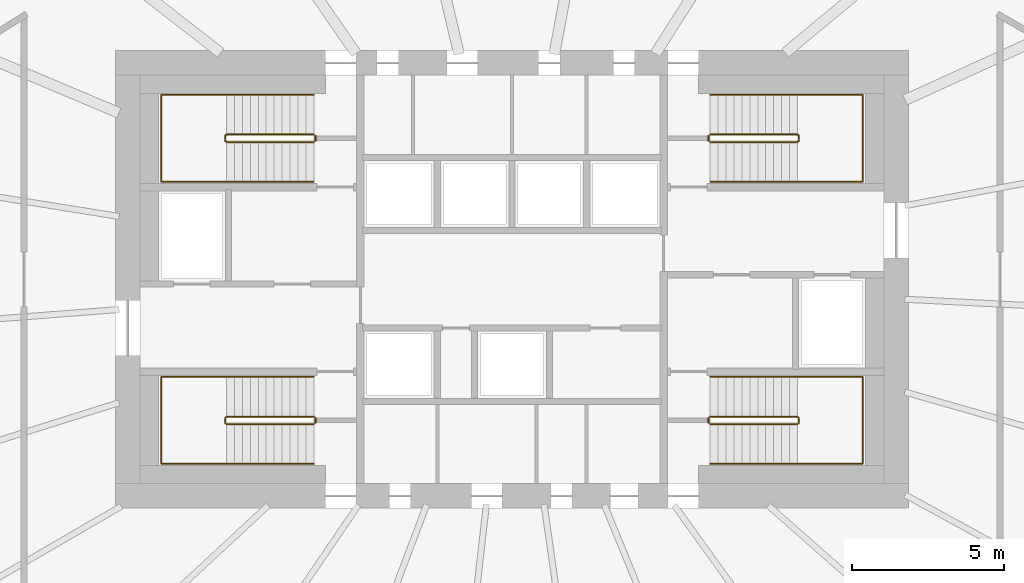
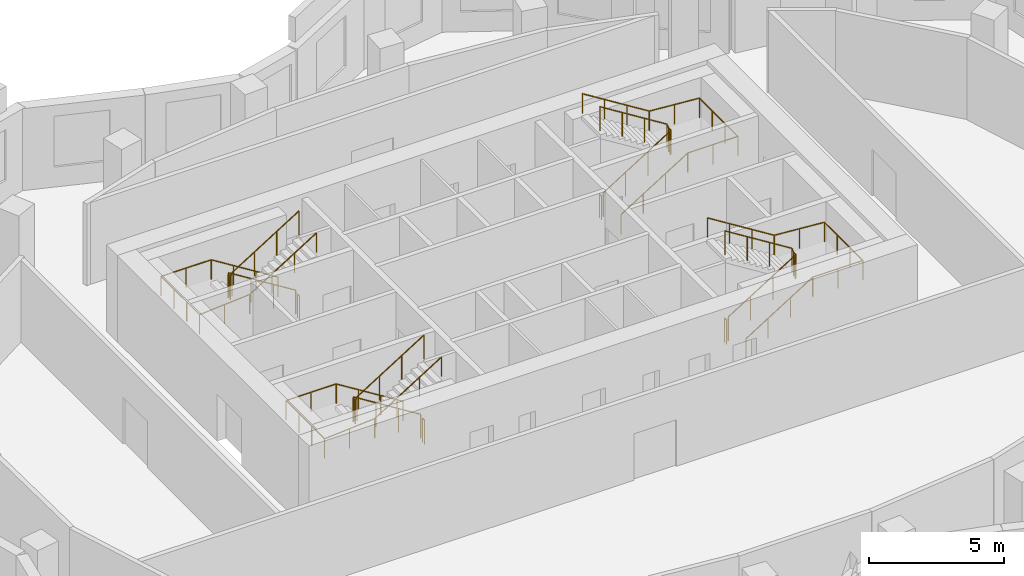
# One storey, part 8 of 8: 12 railings.
"""IFC4 building model written with IfcOpenShell, lengths in metres."""

from ifc_helpers import new_model, si_unit, direction, frame, origin, origin_2d, place, context, subcontext, project, spatial, circle, extrude, material, type_object, element, save


model = new_model("IFC4")

# Units and contexts
model_context = context("Model", 3, precision=1e-05, world=origin(), true_north=direction((0.0, 1.0)))
body_context = subcontext(model_context, "Body", "Model", "MODEL_VIEW")
ifc_project = project(units=[si_unit("LENGTHUNIT", "METRE"), si_unit("AREAUNIT", "SQUARE_METRE"), si_unit("VOLUMEUNIT", "CUBIC_METRE"), si_unit("PLANEANGLEUNIT", "RADIAN"), si_unit("MASSUNIT", "GRAM", prefix="KILO")], contexts=[model_context])

# Site, building, storey
site_placement = place(None, origin())
site = spatial("IfcSite", under=ifc_project, at=site_placement, CompositionType="ELEMENT")
building_placement = place(site_placement, origin())
building = spatial("IfcBuilding", under=site, at=building_placement, Name="Rubra Terraces Tower", CompositionType="ELEMENT")
storey_placement = place(building_placement, frame((0.0, 0.0, 193.5)))
storey = spatial("IfcBuildingStorey", under=building, at=storey_placement, Name="L47", CompositionType="ELEMENT", Elevation=193.5)

# Railings
ifc_material = material(Name="Stainless steel", Category="steel")
railing_type_1 = type_object("IfcRailingType", Name="Core stair guard 1100", PredefinedType="GUARDRAIL", material=ifc_material)
railing_1_placement = place(storey_placement, frame((-6.5, 0.0, 0.16259765625)))
element("IfcRailing", 1, at=railing_1_placement, inside=storey, type_object=railing_type_1, Name="L47 stair S1 guard 1", PredefinedType="GUARDRAIL", context=body_context, shape_type="SweptSolid", body=[
    extrude(circle(Radius=0.02392578125, at=origin_2d()), frame((0.0, 0.0, 1.076171875), z_axis=(-0.848026770018, 0.0, 0.529953391661), x_axis=(0.0, -1.0, 0.0)), (0.0, 0.0, 1.0), 3.37255859375),
    extrude(circle(Radius=0.02392578125, at=origin_2d()), frame((-2.860107421875, 0.0, 2.86328125), z_axis=(-0.705375805398, -0.708833529934, 0.0), x_axis=(0.708833529934, -0.705375805398, 0.0)), (0.0, 0.0, 1.0), 0.070556640625),
    extrude(circle(Radius=0.02392578125, at=origin_2d()), frame((-2.909912109375, -0.050048828125, 2.86328125), z_axis=(0.0, -1.0, 0.0), x_axis=(1.0, 0.0, 0.0)), (0.0, 0.0, 1.0), 0.14990234375),
    extrude(circle(Radius=0.02392578125, at=origin_2d()), frame((-2.909912109375, -0.199951171875, 2.86328125), z_axis=(0.280959487676, -0.282336740067, 0.917250092119), x_axis=(0.708833529934, 0.705375805398, 0.0)), (0.0, 0.0, 1.0), 0.17724609375),
    extrude(circle(Radius=0.02392578125, at=origin_2d()), frame((-2.860107421875, -0.25, 3.02587890625), z_axis=(0.848026770018, 0.0, 0.529953391661), x_axis=(0.0, 1.0, 0.0)), (0.0, 0.0, 1.0), 3.37255859375),
    extrude(circle(Radius=0.02099609375, at=origin_2d()), origin(), (0.0, 0.0, 1.0), 1.052001953125),
    extrude(circle(Radius=0.02099609375, at=origin_2d()), frame((-0.953369140625, 0.0, 0.595703125)), (0.0, 0.0, 1.0), 1.052001953125),
    extrude(circle(Radius=0.02099609375, at=origin_2d()), frame((-1.90673828125, 0.0, 1.191650390625)), (0.0, 0.0, 1.0), 1.052001953125),
    extrude(circle(Radius=0.02099609375, at=origin_2d()), frame((-2.860107421875, 0.0, 1.787353515625)), (0.0, 0.0, 1.0), 1.052001953125),
    extrude(circle(Radius=0.02099609375, at=origin_2d()), frame((-2.909912109375, -0.050048828125, 1.787353515625)), (0.0, 0.0, 1.0), 1.052001953125),
    extrude(circle(Radius=0.02099609375, at=origin_2d()), frame((-2.909912109375, -0.199951171875, 1.787353515625)), (0.0, 0.0, 1.0), 1.052001953125),
    extrude(circle(Radius=0.02099609375, at=origin_2d()), frame((-2.860107421875, -0.25, 1.949951171875)), (0.0, 0.0, 1.0), 1.052001953125),
    extrude(circle(Radius=0.02099609375, at=origin_2d()), frame((-1.90673828125, -0.25, 2.545654296875)), (0.0, 0.0, 1.0), 1.052001953125),
    extrude(circle(Radius=0.02099609375, at=origin_2d()), frame((-0.953369140625, -0.25, 3.1416015625)), (0.0, 0.0, 1.0), 1.052001953125),
    extrude(circle(Radius=0.02099609375, at=origin_2d()), frame((0.0, -0.25, 3.7373046875)), (0.0, 0.0, 1.0), 1.052001953125),
])
railing_2_placement = place(storey_placement, frame((-6.449951171875, -0.050048828125, 0.0)))
element("IfcRailing", 2, at=railing_2_placement, inside=storey, type_object=railing_type_1, Name="L47 stair S1 guard 2", PredefinedType="GUARDRAIL", context=body_context, shape_type="SweptSolid", body=[
    extrude(circle(Radius=0.02392578125, at=origin_2d()), frame((0.0, 0.0, 1.076171875), z_axis=(0.0, -1.0, 0.0), x_axis=(1.0, 0.0, 0.0)), (0.0, 0.0, 1.0), 0.14990234375),
    extrude(circle(Radius=0.02099609375, at=origin_2d()), origin(), (0.0, 0.0, 1.0), 1.052001953125),
    extrude(circle(Radius=0.02099609375, at=origin_2d()), frame((0.0, -0.14990234375, 0.0)), (0.0, 0.0, 1.0), 1.052001953125),
])
railing_3_placement = place(storey_placement, frame((-6.5, 9.25, 0.16259765625)))
element("IfcRailing", 3, at=railing_3_placement, inside=storey, type_object=railing_type_1, Name="L47 stair S2 guard 1", PredefinedType="GUARDRAIL", context=body_context, shape_type="SweptSolid", body=[
    extrude(circle(Radius=0.02392578125, at=origin_2d()), frame((0.0, 0.0, 1.076171875), z_axis=(-0.848026770018, 0.0, 0.529953391661), x_axis=(0.0, -1.0, 0.0)), (0.0, 0.0, 1.0), 3.37255859375),
    extrude(circle(Radius=0.02392578125, at=origin_2d()), frame((-2.860107421875, 0.0, 2.86328125), z_axis=(-0.705375805398, -0.708833529934, 0.0), x_axis=(0.708833529934, -0.705375805398, 0.0)), (0.0, 0.0, 1.0), 0.070556640625),
    extrude(circle(Radius=0.02392578125, at=origin_2d()), frame((-2.909912109375, -0.050048828125, 2.86328125), z_axis=(0.0, -1.0, 0.0), x_axis=(1.0, 0.0, 0.0)), (0.0, 0.0, 1.0), 0.14990234375),
    extrude(circle(Radius=0.02392578125, at=origin_2d()), frame((-2.909912109375, -0.199951171875, 2.86328125), z_axis=(0.280959487676, -0.282336740067, 0.917250092119), x_axis=(0.708833529934, 0.705375805398, 0.0)), (0.0, 0.0, 1.0), 0.17724609375),
    extrude(circle(Radius=0.02392578125, at=origin_2d()), frame((-2.860107421875, -0.25, 3.02587890625), z_axis=(0.848026770018, 0.0, 0.529953391661), x_axis=(0.0, 1.0, 0.0)), (0.0, 0.0, 1.0), 3.37255859375),
    extrude(circle(Radius=0.02099609375, at=origin_2d()), origin(), (0.0, 0.0, 1.0), 1.052001953125),
    extrude(circle(Radius=0.02099609375, at=origin_2d()), frame((-0.953369140625, 0.0, 0.595703125)), (0.0, 0.0, 1.0), 1.052001953125),
    extrude(circle(Radius=0.02099609375, at=origin_2d()), frame((-1.90673828125, 0.0, 1.191650390625)), (0.0, 0.0, 1.0), 1.052001953125),
    extrude(circle(Radius=0.02099609375, at=origin_2d()), frame((-2.860107421875, 0.0, 1.787353515625)), (0.0, 0.0, 1.0), 1.052001953125),
    extrude(circle(Radius=0.02099609375, at=origin_2d()), frame((-2.909912109375, -0.050048828125, 1.787353515625)), (0.0, 0.0, 1.0), 1.052001953125),
    extrude(circle(Radius=0.02099609375, at=origin_2d()), frame((-2.909912109375, -0.199951171875, 1.787353515625)), (0.0, 0.0, 1.0), 1.052001953125),
    extrude(circle(Radius=0.02099609375, at=origin_2d()), frame((-2.860107421875, -0.25, 1.949951171875)), (0.0, 0.0, 1.0), 1.052001953125),
    extrude(circle(Radius=0.02099609375, at=origin_2d()), frame((-1.90673828125, -0.25, 2.545654296875)), (0.0, 0.0, 1.0), 1.052001953125),
    extrude(circle(Radius=0.02099609375, at=origin_2d()), frame((-0.953369140625, -0.25, 3.1416015625)), (0.0, 0.0, 1.0), 1.052001953125),
    extrude(circle(Radius=0.02099609375, at=origin_2d()), frame((0.0, -0.25, 3.7373046875)), (0.0, 0.0, 1.0), 1.052001953125),
])
railing_4_placement = place(storey_placement, frame((-6.449951171875, 9.199951171875, 0.0)))
element("IfcRailing", 4, at=railing_4_placement, inside=storey, type_object=railing_type_1, Name="L47 stair S2 guard 2", PredefinedType="GUARDRAIL", context=body_context, shape_type="SweptSolid", body=[
    extrude(circle(Radius=0.02392578125, at=origin_2d()), frame((0.0, 0.0, 1.076171875), z_axis=(0.0, -1.0, 0.0), x_axis=(1.0, 0.0, 0.0)), (0.0, 0.0, 1.0), 0.14990234375),
    extrude(circle(Radius=0.02099609375, at=origin_2d()), origin(), (0.0, 0.0, 1.0), 1.052001953125),
    extrude(circle(Radius=0.02099609375, at=origin_2d()), frame((0.0, -0.14990234375, 0.0)), (0.0, 0.0, 1.0), 1.052001953125),
])
railing_5_placement = place(storey_placement, frame((6.5, 9.0, 0.16259765625)))
element("IfcRailing", 5, at=railing_5_placement, inside=storey, type_object=railing_type_1, Name="L47 stair S3 guard 1", PredefinedType="GUARDRAIL", context=body_context, shape_type="SweptSolid", body=[
    extrude(circle(Radius=0.02392578125, at=origin_2d()), frame((0.0, 0.0, 1.076171875), z_axis=(0.848026770018, 0.0, 0.529953391661), x_axis=(0.0, 1.0, 0.0)), (0.0, 0.0, 1.0), 3.37255859375),
    extrude(circle(Radius=0.02392578125, at=origin_2d()), frame((2.860107421875, 0.0, 2.86328125), z_axis=(0.705375805398, 0.708833529934, 0.0), x_axis=(-0.708833529934, 0.705375805398, 0.0)), (0.0, 0.0, 1.0), 0.070556640625),
    extrude(circle(Radius=0.02392578125, at=origin_2d()), frame((2.909912109375, 0.050048828125, 2.86328125), z_axis=(0.0, 1.0, 0.0), x_axis=(-1.0, 0.0, 0.0)), (0.0, 0.0, 1.0), 0.14990234375),
    extrude(circle(Radius=0.02392578125, at=origin_2d()), frame((2.909912109375, 0.199951171875, 2.86328125), z_axis=(-0.280959487676, 0.282336740067, 0.917250092119), x_axis=(-0.708833529934, -0.705375805398, 0.0)), (0.0, 0.0, 1.0), 0.17724609375),
    extrude(circle(Radius=0.02392578125, at=origin_2d()), frame((2.860107421875, 0.25, 3.02587890625), z_axis=(-0.848026770018, 0.0, 0.529953391661), x_axis=(0.0, -1.0, 0.0)), (0.0, 0.0, 1.0), 3.37255859375),
    extrude(circle(Radius=0.02099609375, at=origin_2d()), origin(), (0.0, 0.0, 1.0), 1.052001953125),
    extrude(circle(Radius=0.02099609375, at=origin_2d()), frame((0.953369140625, 0.0, 0.595703125)), (0.0, 0.0, 1.0), 1.052001953125),
    extrude(circle(Radius=0.02099609375, at=origin_2d()), frame((1.90673828125, 0.0, 1.191650390625)), (0.0, 0.0, 1.0), 1.052001953125),
    extrude(circle(Radius=0.02099609375, at=origin_2d()), frame((2.860107421875, 0.0, 1.787353515625)), (0.0, 0.0, 1.0), 1.052001953125),
    extrude(circle(Radius=0.02099609375, at=origin_2d()), frame((2.909912109375, 0.050048828125, 1.787353515625)), (0.0, 0.0, 1.0), 1.052001953125),
    extrude(circle(Radius=0.02099609375, at=origin_2d()), frame((2.909912109375, 0.199951171875, 1.787353515625)), (0.0, 0.0, 1.0), 1.052001953125),
    extrude(circle(Radius=0.02099609375, at=origin_2d()), frame((2.860107421875, 0.25, 1.949951171875)), (0.0, 0.0, 1.0), 1.052001953125),
    extrude(circle(Radius=0.02099609375, at=origin_2d()), frame((1.90673828125, 0.25, 2.545654296875)), (0.0, 0.0, 1.0), 1.052001953125),
    extrude(circle(Radius=0.02099609375, at=origin_2d()), frame((0.953369140625, 0.25, 3.1416015625)), (0.0, 0.0, 1.0), 1.052001953125),
    extrude(circle(Radius=0.02099609375, at=origin_2d()), frame((0.0, 0.25, 3.7373046875)), (0.0, 0.0, 1.0), 1.052001953125),
])
railing_6_placement = place(storey_placement, frame((6.449951171875, 9.050048828125, 0.0)))
element("IfcRailing", 6, at=railing_6_placement, inside=storey, type_object=railing_type_1, Name="L47 stair S3 guard 2", PredefinedType="GUARDRAIL", context=body_context, shape_type="SweptSolid", body=[
    extrude(circle(Radius=0.02392578125, at=origin_2d()), frame((0.0, 0.0, 1.076171875), z_axis=(0.0, 1.0, 0.0), x_axis=(-1.0, 0.0, 0.0)), (0.0, 0.0, 1.0), 0.14990234375),
    extrude(circle(Radius=0.02099609375, at=origin_2d()), origin(), (0.0, 0.0, 1.0), 1.052001953125),
    extrude(circle(Radius=0.02099609375, at=origin_2d()), frame((0.0, 0.14990234375, 0.0)), (0.0, 0.0, 1.0), 1.052001953125),
])
railing_7_placement = place(storey_placement, frame((6.5, -0.25, 0.16259765625)))
element("IfcRailing", 7, at=railing_7_placement, inside=storey, type_object=railing_type_1, Name="L47 stair S4 guard 1", PredefinedType="GUARDRAIL", context=body_context, shape_type="SweptSolid", body=[
    extrude(circle(Radius=0.02392578125, at=origin_2d()), frame((0.0, 0.0, 1.076171875), z_axis=(0.848026770018, 0.0, 0.529953391661), x_axis=(0.0, 1.0, 0.0)), (0.0, 0.0, 1.0), 3.37255859375),
    extrude(circle(Radius=0.02392578125, at=origin_2d()), frame((2.860107421875, 0.0, 2.86328125), z_axis=(0.705375805398, 0.708833529934, 0.0), x_axis=(-0.708833529934, 0.705375805398, 0.0)), (0.0, 0.0, 1.0), 0.070556640625),
    extrude(circle(Radius=0.02392578125, at=origin_2d()), frame((2.909912109375, 0.050048828125, 2.86328125), z_axis=(0.0, 1.0, 0.0), x_axis=(-1.0, 0.0, 0.0)), (0.0, 0.0, 1.0), 0.14990234375),
    extrude(circle(Radius=0.02392578125, at=origin_2d()), frame((2.909912109375, 0.199951171875, 2.86328125), z_axis=(-0.280959487676, 0.282336740067, 0.917250092119), x_axis=(-0.708833529934, -0.705375805398, 0.0)), (0.0, 0.0, 1.0), 0.17724609375),
    extrude(circle(Radius=0.02392578125, at=origin_2d()), frame((2.860107421875, 0.25, 3.02587890625), z_axis=(-0.848026770018, 0.0, 0.529953391661), x_axis=(0.0, -1.0, 0.0)), (0.0, 0.0, 1.0), 3.37255859375),
    extrude(circle(Radius=0.02099609375, at=origin_2d()), origin(), (0.0, 0.0, 1.0), 1.052001953125),
    extrude(circle(Radius=0.02099609375, at=origin_2d()), frame((0.953369140625, 0.0, 0.595703125)), (0.0, 0.0, 1.0), 1.052001953125),
    extrude(circle(Radius=0.02099609375, at=origin_2d()), frame((1.90673828125, 0.0, 1.191650390625)), (0.0, 0.0, 1.0), 1.052001953125),
    extrude(circle(Radius=0.02099609375, at=origin_2d()), frame((2.860107421875, 0.0, 1.787353515625)), (0.0, 0.0, 1.0), 1.052001953125),
    extrude(circle(Radius=0.02099609375, at=origin_2d()), frame((2.909912109375, 0.050048828125, 1.787353515625)), (0.0, 0.0, 1.0), 1.052001953125),
    extrude(circle(Radius=0.02099609375, at=origin_2d()), frame((2.909912109375, 0.199951171875, 1.787353515625)), (0.0, 0.0, 1.0), 1.052001953125),
    extrude(circle(Radius=0.02099609375, at=origin_2d()), frame((2.860107421875, 0.25, 1.949951171875)), (0.0, 0.0, 1.0), 1.052001953125),
    extrude(circle(Radius=0.02099609375, at=origin_2d()), frame((1.90673828125, 0.25, 2.545654296875)), (0.0, 0.0, 1.0), 1.052001953125),
    extrude(circle(Radius=0.02099609375, at=origin_2d()), frame((0.953369140625, 0.25, 3.1416015625)), (0.0, 0.0, 1.0), 1.052001953125),
    extrude(circle(Radius=0.02099609375, at=origin_2d()), frame((0.0, 0.25, 3.7373046875)), (0.0, 0.0, 1.0), 1.052001953125),
])
railing_8_placement = place(storey_placement, frame((6.449951171875, -0.199951171875, 0.0)))
element("IfcRailing", 8, at=railing_8_placement, inside=storey, type_object=railing_type_1, Name="L47 stair S4 guard 2", PredefinedType="GUARDRAIL", context=body_context, shape_type="SweptSolid", body=[
    extrude(circle(Radius=0.02392578125, at=origin_2d()), frame((0.0, 0.0, 1.076171875), z_axis=(0.0, 1.0, 0.0), x_axis=(-1.0, 0.0, 0.0)), (0.0, 0.0, 1.0), 0.14990234375),
    extrude(circle(Radius=0.02099609375, at=origin_2d()), origin(), (0.0, 0.0, 1.0), 1.052001953125),
    extrude(circle(Radius=0.02099609375, at=origin_2d()), frame((0.0, 0.14990234375, 0.0)), (0.0, 0.0, 1.0), 1.052001953125),
])
railing_type_2 = type_object("IfcRailingType", Name="Core stair handrail 900", PredefinedType="HANDRAIL", material=ifc_material)
railing_9_placement = place(storey_placement, frame((-6.5, 1.300048828125, 0.16259765625)))
element("IfcRailing", 9, at=railing_9_placement, inside=storey, type_object=railing_type_2, Name="L47 stair S1 handrail 1", PredefinedType="HANDRAIL", context=body_context, shape_type="SweptSolid", body=[
    extrude(circle(Radius=0.02392578125, at=origin_2d()), frame((0.0, 0.0, 0.8759765625), z_axis=(-0.848026770018, 0.0, 0.529953391661), x_axis=(0.0, -1.0, 0.0)), (0.0, 0.0, 1.0), 3.37255859375),
    extrude(circle(Radius=0.02392578125, at=origin_2d()), frame((-2.860107421875, 0.0, 2.6630859375), z_axis=(-1.0, 0.0, 0.0), x_axis=(0.0, -1.0, 0.0)), (0.0, 0.0, 1.0), 2.139892578125),
    extrude(circle(Radius=0.02392578125, at=origin_2d()), frame((-5.0, 0.0, 2.6630859375), z_axis=(0.0, -1.0, 0.0), x_axis=(1.0, 0.0, 0.0)), (0.0, 0.0, 1.0), 2.85009765625),
    extrude(circle(Radius=0.02392578125, at=origin_2d()), frame((-5.0, -2.85009765625, 2.6630859375), z_axis=(0.997125654253, 0.0, 0.075765623016), x_axis=(0.0, 1.0, 0.0)), (0.0, 0.0, 1.0), 2.14599609375),
    extrude(circle(Radius=0.02392578125, at=origin_2d()), frame((-2.860107421875, -2.85009765625, 2.82568359375), z_axis=(0.848026770018, 0.0, 0.529953391661), x_axis=(0.0, 1.0, 0.0)), (0.0, 0.0, 1.0), 3.37255859375),
    extrude(circle(Radius=0.02099609375, at=origin_2d()), origin(), (0.0, 0.0, 1.0), 0.851806640625),
    extrude(circle(Radius=0.02099609375, at=origin_2d()), frame((-0.953369140625, 0.0, 0.595703125)), (0.0, 0.0, 1.0), 0.851806640625),
    extrude(circle(Radius=0.02099609375, at=origin_2d()), frame((-1.90673828125, 0.0, 1.191650390625)), (0.0, 0.0, 1.0), 0.851806640625),
    extrude(circle(Radius=0.02099609375, at=origin_2d()), frame((-2.860107421875, 0.0, 1.787353515625)), (0.0, 0.0, 1.0), 0.851806640625),
    extrude(circle(Radius=0.02099609375, at=origin_2d()), frame((-3.93017578125, 0.0, 1.787353515625)), (0.0, 0.0, 1.0), 0.851806640625),
    extrude(circle(Radius=0.02099609375, at=origin_2d()), frame((-5.0, 0.0, 1.787353515625)), (0.0, 0.0, 1.0), 0.851806640625),
    extrude(circle(Radius=0.02099609375, at=origin_2d()), frame((-5.0, -0.949951171875, 1.787353515625)), (0.0, 0.0, 1.0), 0.851806640625),
    extrude(circle(Radius=0.02099609375, at=origin_2d()), frame((-5.0, -1.900146484375, 1.787353515625)), (0.0, 0.0, 1.0), 0.851806640625),
    extrude(circle(Radius=0.02099609375, at=origin_2d()), frame((-5.0, -2.85009765625, 1.787353515625)), (0.0, 0.0, 1.0), 0.851806640625),
    extrude(circle(Radius=0.02099609375, at=origin_2d()), frame((-3.93017578125, -2.85009765625, 1.86865234375)), (0.0, 0.0, 1.0), 0.851806640625),
    extrude(circle(Radius=0.02099609375, at=origin_2d()), frame((-2.860107421875, -2.85009765625, 1.949951171875)), (0.0, 0.0, 1.0), 0.851806640625),
    extrude(circle(Radius=0.02099609375, at=origin_2d()), frame((-1.90673828125, -2.85009765625, 2.545654296875)), (0.0, 0.0, 1.0), 0.851806640625),
    extrude(circle(Radius=0.02099609375, at=origin_2d()), frame((-0.953369140625, -2.85009765625, 3.1416015625)), (0.0, 0.0, 1.0), 0.851806640625),
    extrude(circle(Radius=0.02099609375, at=origin_2d()), frame((0.0, -2.85009765625, 3.7373046875)), (0.0, 0.0, 1.0), 0.851806640625),
])
railing_10_placement = place(storey_placement, frame((-6.5, 10.550048828125, 0.16259765625)))
element("IfcRailing", 10, at=railing_10_placement, inside=storey, type_object=railing_type_2, Name="L47 stair S2 handrail 1", PredefinedType="HANDRAIL", context=body_context, shape_type="SweptSolid", body=[
    extrude(circle(Radius=0.02392578125, at=origin_2d()), frame((0.0, 0.0, 0.8759765625), z_axis=(-0.848026770018, 0.0, 0.529953391661), x_axis=(0.0, -1.0, 0.0)), (0.0, 0.0, 1.0), 3.37255859375),
    extrude(circle(Radius=0.02392578125, at=origin_2d()), frame((-2.860107421875, 0.0, 2.6630859375), z_axis=(-1.0, 0.0, 0.0), x_axis=(0.0, -1.0, 0.0)), (0.0, 0.0, 1.0), 2.139892578125),
    extrude(circle(Radius=0.02392578125, at=origin_2d()), frame((-5.0, 0.0, 2.6630859375), z_axis=(0.0, -1.0, 0.0), x_axis=(1.0, 0.0, 0.0)), (0.0, 0.0, 1.0), 2.85009765625),
    extrude(circle(Radius=0.02392578125, at=origin_2d()), frame((-5.0, -2.85009765625, 2.6630859375), z_axis=(0.997125654253, 0.0, 0.075765623016), x_axis=(0.0, 1.0, 0.0)), (0.0, 0.0, 1.0), 2.14599609375),
    extrude(circle(Radius=0.02392578125, at=origin_2d()), frame((-2.860107421875, -2.85009765625, 2.82568359375), z_axis=(0.848026770018, 0.0, 0.529953391661), x_axis=(0.0, 1.0, 0.0)), (0.0, 0.0, 1.0), 3.37255859375),
    extrude(circle(Radius=0.02099609375, at=origin_2d()), origin(), (0.0, 0.0, 1.0), 0.851806640625),
    extrude(circle(Radius=0.02099609375, at=origin_2d()), frame((-0.953369140625, 0.0, 0.595703125)), (0.0, 0.0, 1.0), 0.851806640625),
    extrude(circle(Radius=0.02099609375, at=origin_2d()), frame((-1.90673828125, 0.0, 1.191650390625)), (0.0, 0.0, 1.0), 0.851806640625),
    extrude(circle(Radius=0.02099609375, at=origin_2d()), frame((-2.860107421875, 0.0, 1.787353515625)), (0.0, 0.0, 1.0), 0.851806640625),
    extrude(circle(Radius=0.02099609375, at=origin_2d()), frame((-3.93017578125, 0.0, 1.787353515625)), (0.0, 0.0, 1.0), 0.851806640625),
    extrude(circle(Radius=0.02099609375, at=origin_2d()), frame((-5.0, 0.0, 1.787353515625)), (0.0, 0.0, 1.0), 0.851806640625),
    extrude(circle(Radius=0.02099609375, at=origin_2d()), frame((-5.0, -0.949951171875, 1.787353515625)), (0.0, 0.0, 1.0), 0.851806640625),
    extrude(circle(Radius=0.02099609375, at=origin_2d()), frame((-5.0, -1.900146484375, 1.787353515625)), (0.0, 0.0, 1.0), 0.851806640625),
    extrude(circle(Radius=0.02099609375, at=origin_2d()), frame((-5.0, -2.85009765625, 1.787353515625)), (0.0, 0.0, 1.0), 0.851806640625),
    extrude(circle(Radius=0.02099609375, at=origin_2d()), frame((-3.93017578125, -2.85009765625, 1.86865234375)), (0.0, 0.0, 1.0), 0.851806640625),
    extrude(circle(Radius=0.02099609375, at=origin_2d()), frame((-2.860107421875, -2.85009765625, 1.949951171875)), (0.0, 0.0, 1.0), 0.851806640625),
    extrude(circle(Radius=0.02099609375, at=origin_2d()), frame((-1.90673828125, -2.85009765625, 2.545654296875)), (0.0, 0.0, 1.0), 0.851806640625),
    extrude(circle(Radius=0.02099609375, at=origin_2d()), frame((-0.953369140625, -2.85009765625, 3.1416015625)), (0.0, 0.0, 1.0), 0.851806640625),
    extrude(circle(Radius=0.02099609375, at=origin_2d()), frame((0.0, -2.85009765625, 3.7373046875)), (0.0, 0.0, 1.0), 0.851806640625),
])
railing_11_placement = place(storey_placement, frame((6.5, 7.699951171875, 0.16259765625)))
element("IfcRailing", 11, at=railing_11_placement, inside=storey, type_object=railing_type_2, Name="L47 stair S3 handrail 1", PredefinedType="HANDRAIL", context=body_context, shape_type="SweptSolid", body=[
    extrude(circle(Radius=0.02392578125, at=origin_2d()), frame((0.0, 0.0, 0.8759765625), z_axis=(0.848026770018, 0.0, 0.529953391661), x_axis=(0.0, 1.0, 0.0)), (0.0, 0.0, 1.0), 3.37255859375),
    extrude(circle(Radius=0.02392578125, at=origin_2d()), frame((2.860107421875, 0.0, 2.6630859375), z_axis=(1.0, 0.0, 0.0), x_axis=(0.0, 1.0, 0.0)), (0.0, 0.0, 1.0), 2.139892578125),
    extrude(circle(Radius=0.02392578125, at=origin_2d()), frame((5.0, 0.0, 2.6630859375), z_axis=(0.0, 1.0, 0.0), x_axis=(-1.0, 0.0, 0.0)), (0.0, 0.0, 1.0), 2.85009765625),
    extrude(circle(Radius=0.02392578125, at=origin_2d()), frame((5.0, 2.85009765625, 2.6630859375), z_axis=(-0.997125654253, 0.0, 0.075765623016), x_axis=(0.0, -1.0, 0.0)), (0.0, 0.0, 1.0), 2.14599609375),
    extrude(circle(Radius=0.02392578125, at=origin_2d()), frame((2.860107421875, 2.85009765625, 2.82568359375), z_axis=(-0.848026770018, 0.0, 0.529953391661), x_axis=(0.0, -1.0, 0.0)), (0.0, 0.0, 1.0), 3.37255859375),
    extrude(circle(Radius=0.02099609375, at=origin_2d()), origin(), (0.0, 0.0, 1.0), 0.851806640625),
    extrude(circle(Radius=0.02099609375, at=origin_2d()), frame((0.953369140625, 0.0, 0.595703125)), (0.0, 0.0, 1.0), 0.851806640625),
    extrude(circle(Radius=0.02099609375, at=origin_2d()), frame((1.90673828125, 0.0, 1.191650390625)), (0.0, 0.0, 1.0), 0.851806640625),
    extrude(circle(Radius=0.02099609375, at=origin_2d()), frame((2.860107421875, 0.0, 1.787353515625)), (0.0, 0.0, 1.0), 0.851806640625),
    extrude(circle(Radius=0.02099609375, at=origin_2d()), frame((3.93017578125, 0.0, 1.787353515625)), (0.0, 0.0, 1.0), 0.851806640625),
    extrude(circle(Radius=0.02099609375, at=origin_2d()), frame((5.0, 0.0, 1.787353515625)), (0.0, 0.0, 1.0), 0.851806640625),
    extrude(circle(Radius=0.02099609375, at=origin_2d()), frame((5.0, 0.949951171875, 1.787353515625)), (0.0, 0.0, 1.0), 0.851806640625),
    extrude(circle(Radius=0.02099609375, at=origin_2d()), frame((5.0, 1.900146484375, 1.787353515625)), (0.0, 0.0, 1.0), 0.851806640625),
    extrude(circle(Radius=0.02099609375, at=origin_2d()), frame((5.0, 2.85009765625, 1.787353515625)), (0.0, 0.0, 1.0), 0.851806640625),
    extrude(circle(Radius=0.02099609375, at=origin_2d()), frame((3.93017578125, 2.85009765625, 1.86865234375)), (0.0, 0.0, 1.0), 0.851806640625),
    extrude(circle(Radius=0.02099609375, at=origin_2d()), frame((2.860107421875, 2.85009765625, 1.949951171875)), (0.0, 0.0, 1.0), 0.851806640625),
    extrude(circle(Radius=0.02099609375, at=origin_2d()), frame((1.90673828125, 2.85009765625, 2.545654296875)), (0.0, 0.0, 1.0), 0.851806640625),
    extrude(circle(Radius=0.02099609375, at=origin_2d()), frame((0.953369140625, 2.85009765625, 3.1416015625)), (0.0, 0.0, 1.0), 0.851806640625),
    extrude(circle(Radius=0.02099609375, at=origin_2d()), frame((0.0, 2.85009765625, 3.7373046875)), (0.0, 0.0, 1.0), 0.851806640625),
])
railing_12_placement = place(storey_placement, frame((6.5, -1.550048828125, 0.16259765625)))
element("IfcRailing", 12, at=railing_12_placement, inside=storey, type_object=railing_type_2, Name="L47 stair S4 handrail 1", PredefinedType="HANDRAIL", context=body_context, shape_type="SweptSolid", body=[
    extrude(circle(Radius=0.02392578125, at=origin_2d()), frame((0.0, 0.0, 0.8759765625), z_axis=(0.848026770018, 0.0, 0.529953391661), x_axis=(0.0, 1.0, 0.0)), (0.0, 0.0, 1.0), 3.37255859375),
    extrude(circle(Radius=0.02392578125, at=origin_2d()), frame((2.860107421875, 0.0, 2.6630859375), z_axis=(1.0, 0.0, 0.0), x_axis=(0.0, 1.0, 0.0)), (0.0, 0.0, 1.0), 2.139892578125),
    extrude(circle(Radius=0.02392578125, at=origin_2d()), frame((5.0, 0.0, 2.6630859375), z_axis=(0.0, 1.0, 0.0), x_axis=(-1.0, 0.0, 0.0)), (0.0, 0.0, 1.0), 2.85009765625),
    extrude(circle(Radius=0.02392578125, at=origin_2d()), frame((5.0, 2.85009765625, 2.6630859375), z_axis=(-0.997125654253, 0.0, 0.075765623016), x_axis=(0.0, -1.0, 0.0)), (0.0, 0.0, 1.0), 2.14599609375),
    extrude(circle(Radius=0.02392578125, at=origin_2d()), frame((2.860107421875, 2.85009765625, 2.82568359375), z_axis=(-0.848026770018, 0.0, 0.529953391661), x_axis=(0.0, -1.0, 0.0)), (0.0, 0.0, 1.0), 3.37255859375),
    extrude(circle(Radius=0.02099609375, at=origin_2d()), origin(), (0.0, 0.0, 1.0), 0.851806640625),
    extrude(circle(Radius=0.02099609375, at=origin_2d()), frame((0.953369140625, 0.0, 0.595703125)), (0.0, 0.0, 1.0), 0.851806640625),
    extrude(circle(Radius=0.02099609375, at=origin_2d()), frame((1.90673828125, 0.0, 1.191650390625)), (0.0, 0.0, 1.0), 0.851806640625),
    extrude(circle(Radius=0.02099609375, at=origin_2d()), frame((2.860107421875, 0.0, 1.787353515625)), (0.0, 0.0, 1.0), 0.851806640625),
    extrude(circle(Radius=0.02099609375, at=origin_2d()), frame((3.93017578125, 0.0, 1.787353515625)), (0.0, 0.0, 1.0), 0.851806640625),
    extrude(circle(Radius=0.02099609375, at=origin_2d()), frame((5.0, 0.0, 1.787353515625)), (0.0, 0.0, 1.0), 0.851806640625),
    extrude(circle(Radius=0.02099609375, at=origin_2d()), frame((5.0, 0.949951171875, 1.787353515625)), (0.0, 0.0, 1.0), 0.851806640625),
    extrude(circle(Radius=0.02099609375, at=origin_2d()), frame((5.0, 1.900146484375, 1.787353515625)), (0.0, 0.0, 1.0), 0.851806640625),
    extrude(circle(Radius=0.02099609375, at=origin_2d()), frame((5.0, 2.85009765625, 1.787353515625)), (0.0, 0.0, 1.0), 0.851806640625),
    extrude(circle(Radius=0.02099609375, at=origin_2d()), frame((3.93017578125, 2.85009765625, 1.86865234375)), (0.0, 0.0, 1.0), 0.851806640625),
    extrude(circle(Radius=0.02099609375, at=origin_2d()), frame((2.860107421875, 2.85009765625, 1.949951171875)), (0.0, 0.0, 1.0), 0.851806640625),
    extrude(circle(Radius=0.02099609375, at=origin_2d()), frame((1.90673828125, 2.85009765625, 2.545654296875)), (0.0, 0.0, 1.0), 0.851806640625),
    extrude(circle(Radius=0.02099609375, at=origin_2d()), frame((0.953369140625, 2.85009765625, 3.1416015625)), (0.0, 0.0, 1.0), 0.851806640625),
    extrude(circle(Radius=0.02099609375, at=origin_2d()), frame((0.0, 2.85009765625, 3.7373046875)), (0.0, 0.0, 1.0), 0.851806640625),
])

save(model, "model.ifc")
